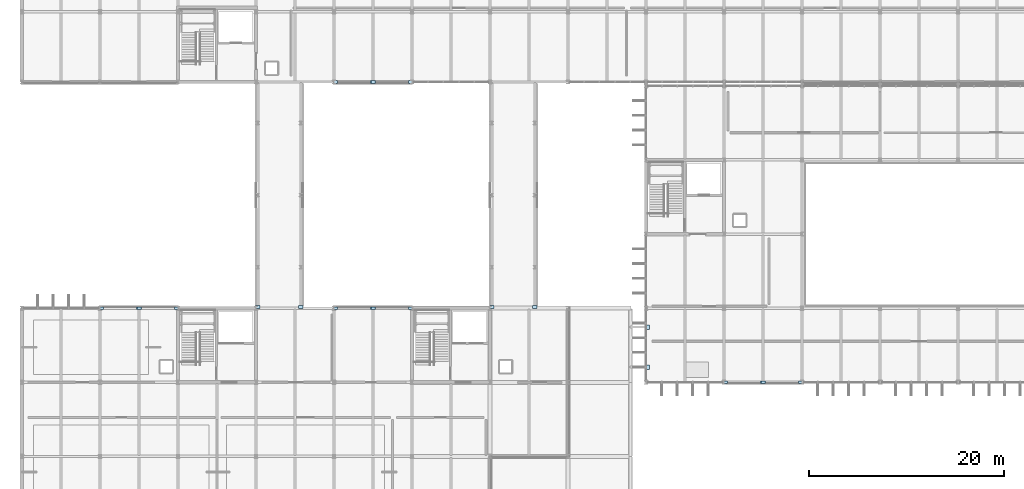
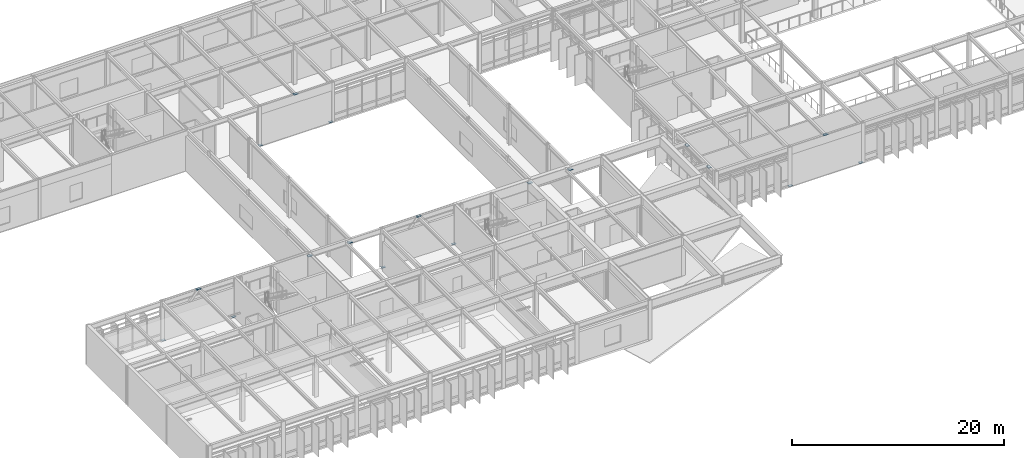
# One storey, part 77 of 104: 22 plates.
"""IFC4 building model written with IfcOpenShell, lengths in metres."""

from ifc_helpers import new_model, si_unit, direction, frame, origin, origin_2d, place, context, subcontext, project, spatial, rectangle, extrude, material, layer, layer_set, type_object, element, save


model = new_model("IFC4")

# Units and contexts
model_context = context("Model", 3, precision=1e-05, world=origin(), true_north=direction((0.0, 1.0)))
body_context = subcontext(model_context, "Body", "Model", "MODEL_VIEW")
ifc_project = project(units=[si_unit("LENGTHUNIT", "METRE"), si_unit("AREAUNIT", "SQUARE_METRE"), si_unit("VOLUMEUNIT", "CUBIC_METRE"), si_unit("PLANEANGLEUNIT", "RADIAN"), si_unit("MASSUNIT", "GRAM", prefix="KILO")], contexts=[model_context])

# Site, building, storey
site_placement = place(None, origin())
site = spatial("IfcSite", under=ifc_project, at=site_placement, CompositionType="ELEMENT")
building_placement = place(site_placement, origin())
building = spatial("IfcBuilding", under=site, at=building_placement, Name="Zulena Civic Courthouse", CompositionType="ELEMENT")
storey_placement = place(building_placement, frame((0.0, 0.0, 10.800048828125)))
storey = spatial("IfcBuildingStorey", under=building, at=storey_placement, Name="L02", CompositionType="ELEMENT", Elevation=10.800048828125)

# Plates
ifc_material = material(Name="Steel ASTM A572 Grade 50", Category="steel")
ifc_layer_1 = layer(ifc_material, 0.028076171875)
ifc_layer_set_1 = layer_set([ifc_layer_1], Name="Steel ASTM A572 Grade 50")
plate_type_1 = type_object("IfcPlateType", Name="BearingPlate_450x320x28", PredefinedType="SHEET", material=ifc_layer_set_1)
for number, where, z_axis, x_axis, name in (
    (1, (68.179931640625, 16.75, 4.02001953125), (0.0, 0.0, 1.0), (1.0, 0.0, 0.0), "plate:ptfe:BR-24:L03:16.75"),
    (2, (68.179931640625, 20.85009765625, 4.02001953125), (0.0, 0.0, 1.0), (1.0, 0.0, 0.0), "plate:ptfe:BR-24:L03:20.85"),
):
    element("IfcPlate", number, at=place(storey_placement, frame(where, z_axis=z_axis, x_axis=x_axis)), inside=storey, type_object=plate_type_1, Name=name, PredefinedType="SHEET", context=body_context, shape_type="SweptSolid", body=[
        extrude(rectangle(XDim=0.320068359375, YDim=0.449951171875, at=origin_2d()), origin(), (0.0, 0.0, 1.0), 0.028076171875),
    ])
for number, where, z_axis, x_axis, name in (
    (3, (28.199951171875, 22.919921875, 4.0400390625), (0.0, 0.0, 1.0), (1.0, 0.0, 0.0), "plate:ptfe:BR-52J:L03:28.20"),
    (4, (32.60009765625, 22.919921875, 4.0400390625), (0.0, 0.0, 1.0), (1.0, 0.0, 0.0), "plate:ptfe:BR-52J:L03:32.60"),
    (5, (52.199951171875, 22.919921875, 4.0400390625), (0.0, 0.0, 1.0), (1.0, 0.0, 0.0), "plate:ptfe:BR-52C:L03:52.20"),
    (6, (56.60009765625, 22.919921875, 4.0400390625), (0.0, 0.0, 1.0), (1.0, 0.0, 0.0), "plate:ptfe:BR-52C:L03:56.60"),
):
    element("IfcPlate", number, at=place(storey_placement, frame(where, z_axis=z_axis, x_axis=x_axis)), inside=storey, type_object=plate_type_1, Name=name, PredefinedType="SHEET", context=body_context, shape_type="SweptSolid", body=[
        extrude(rectangle(XDim=0.449951171875, YDim=0.320068359375, at=origin_2d()), origin(), (0.0, 0.0, 1.0), 0.028076171875),
    ])
ifc_layer_2 = layer(ifc_material, 0.02197265625)
ifc_layer_set_2 = layer_set([ifc_layer_2], Name="Steel ASTM A572 Grade 50")
plate_type_2 = type_object("IfcPlateType", Name="GussetPlate_380x280x22", PredefinedType="SHEET", material=ifc_layer_set_2)
for number, where, z_axis, x_axis, name in (
    (7, (12.14990234375, 22.800048828125, -0.0009765625), (0.0, 0.0, 1.0), (1.0, 0.0, 0.0), "plate:br:V2:L02:0:0:0"),
    (8, (15.949951171875, 22.800048828125, 4.549072265625), (0.0, 0.0, 1.0), (1.0, 0.0, 0.0), "plate:br:V2:L02:0:0:1"),
    (9, (19.85009765625, 22.800048828125, -0.0009765625), (0.0, 0.0, 1.0), (1.0, 0.0, 0.0), "plate:br:V2:L02:0:1:0"),
    (10, (16.050048828125, 22.800048828125, 4.549072265625), (0.0, 0.0, 1.0), (1.0, 0.0, 0.0), "plate:br:V2:L02:0:1:1"),
    (11, (36.14990234375, 22.800048828125, -0.0009765625), (0.0, 0.0, 1.0), (1.0, 0.0, 0.0), "plate:br:V2:L02:1:0:0"),
    (12, (39.949951171875, 22.800048828125, 4.549072265625), (0.0, 0.0, 1.0), (1.0, 0.0, 0.0), "plate:br:V2:L02:1:0:1"),
    (13, (43.85009765625, 22.800048828125, -0.0009765625), (0.0, 0.0, 1.0), (1.0, 0.0, 0.0), "plate:br:V2:L02:1:1:0"),
    (14, (40.050048828125, 22.800048828125, 4.549072265625), (0.0, 0.0, 1.0), (1.0, 0.0, 0.0), "plate:br:V2:L02:1:1:1"),
    (15, (76.14990234375, 15.199951171875, -0.0009765625), (0.0, 0.0, 1.0), (1.0, 0.0, 0.0), "plate:br:V4:L02:4:0:0"),
    (16, (79.949951171875, 15.199951171875, 4.549072265625), (0.0, 0.0, 1.0), (1.0, 0.0, 0.0), "plate:br:V4:L02:4:0:1"),
    (17, (83.85009765625, 15.199951171875, -0.0009765625), (0.0, 0.0, 1.0), (1.0, 0.0, 0.0), "plate:br:V4:L02:4:1:0"),
    (18, (80.050048828125, 15.199951171875, 4.549072265625), (0.0, 0.0, 1.0), (1.0, 0.0, 0.0), "plate:br:V4:L02:4:1:1"),
    (19, (36.14990234375, 46.0, -0.0009765625), (0.0, 0.0, 1.0), (1.0, 0.0, 0.0), "plate:br:V5:L02:5:0:0"),
    (20, (39.949951171875, 46.0, 4.549072265625), (0.0, 0.0, 1.0), (1.0, 0.0, 0.0), "plate:br:V5:L02:5:0:1"),
    (21, (43.85009765625, 46.0, -0.0009765625), (0.0, 0.0, 1.0), (1.0, 0.0, 0.0), "plate:br:V5:L02:5:1:0"),
    (22, (40.050048828125, 46.0, 4.549072265625), (0.0, 0.0, 1.0), (1.0, 0.0, 0.0), "plate:br:V5:L02:5:1:1"),
):
    element("IfcPlate", number, at=place(storey_placement, frame(where, z_axis=z_axis, x_axis=x_axis)), inside=storey, type_object=plate_type_2, Name=name, PredefinedType="SHEET", context=body_context, shape_type="SweptSolid", body=[
        extrude(rectangle(XDim=0.3798828125, YDim=0.280029296875, at=origin_2d()), origin(), (0.0, 0.0, 1.0), 0.02197265625),
    ])

save(model, "model.ifc")
